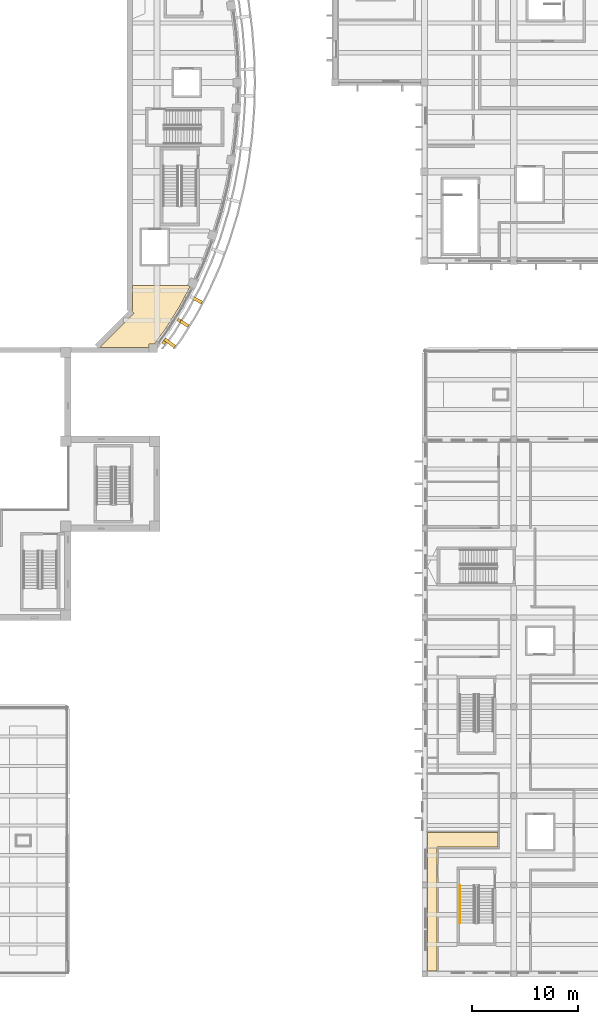
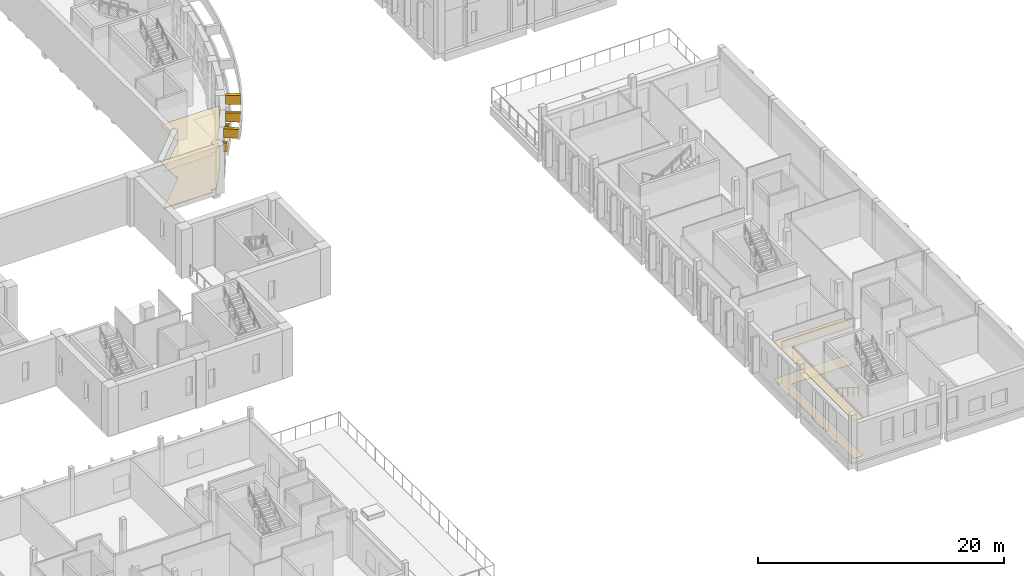
# One storey, part 62 of 79: 9 coverings, 1 railing.
"""IFC4 building model written with IfcOpenShell, lengths in metres."""

import ifcopenshell
import ifcopenshell.guid

model = None  # the IFC model being written
_history = None  # IfcOwnerHistory: only IFC2X3 demands one
_inside = {}  # id of a spatial element -> (the spatial element, [elements in it])
_under = {}  # id of a project, library or spatial element -> (it, [spatial elements below it])
_declared = {}  # id of a project -> (the project, [libraries it declares])
_typed = {}  # id of a type object -> (the type object, [elements of that type])
_made_of = {}  # id of a material, layer set ... -> (it, [elements and type objects made of it])


def new_model(schema):
    """Start an empty IFC model of exactly this schema.

    Asked for "IFC4X3", IfcOpenShell would pick the latest addendum, in which some entities
    have other attributes; the version numbers below select the first issue.
    IFC2X3 requires an IfcOwnerHistory on every rooted entity: one is made here for all.
    """
    global model, _history
    if schema == "IFC4X3":
        model = ifcopenshell.file(schema_version=(4, 3, 0, 0))
    else:
        model = ifcopenshell.file(schema=schema)
    _inside.clear()
    _under.clear()
    _declared.clear()
    _typed.clear()
    _made_of.clear()
    _history = None
    if model.schema == "IFC2X3":
        org = make("IfcOrganization", Name="unknown")
        user = make(
            "IfcPersonAndOrganization",
            ThePerson=make("IfcPerson", FamilyName="unknown"),
            TheOrganization=org,
        )
        app = make(
            "IfcApplication",
            ApplicationDeveloper=org,
            Version="unknown",
            ApplicationFullName="unknown",
            ApplicationIdentifier="unknown",
        )
        _history = make(
            "IfcOwnerHistory",
            OwningUser=user,
            OwningApplication=app,
            ChangeAction="ADDED",
            CreationDate=0,
        )
    return model


def make(cls, **values):
    """One entity of the class cls with the attributes given. An attribute that is None is left unset."""
    return model.create_entity(
        cls, **{name: value for name, value in values.items() if value is not None}
    )


def rooted(cls, **values):
    """An entity with a GlobalId (a new one), such as an element, a storey or a relation."""
    return make(cls, GlobalId=ifcopenshell.guid.new(), OwnerHistory=_history, **values)


def si_unit(unit_type, name, prefix=None):
    """IfcSIUnit, for example si_unit("LENGTHUNIT", "METRE", prefix="MILLI")."""
    return make("IfcSIUnit", UnitType=unit_type, Prefix=prefix, Name=name)


def assignment(units):
    """IfcUnitAssignment: the units of a project."""
    return None if units is None else make("IfcUnitAssignment", Units=units)


def point(xyz):
    """IfcCartesianPoint."""
    return None if xyz is None else make("IfcCartesianPoint", Coordinates=xyz)


def direction(xyz):
    """IfcDirection."""
    return None if xyz is None else make("IfcDirection", DirectionRatios=xyz)


def frame(location, z_axis=None, x_axis=None):
    """IfcAxis2Placement3D, a coordinate frame: its origin and axes. An axis left out is left unset."""
    return make(
        "IfcAxis2Placement3D",
        Location=point(location),
        Axis=direction(z_axis),
        RefDirection=direction(x_axis),
    )


def frame_2d(location, x_axis=None):
    """IfcAxis2Placement2D, a coordinate frame in the plane: its origin and x axis."""
    return make(
        "IfcAxis2Placement2D", Location=point(location), RefDirection=direction(x_axis)
    )


def origin():
    """The frame at (0, 0, 0) with its axes left unset."""
    return frame((0.0, 0.0, 0.0))


def origin_2d():
    """The frame at (0, 0) in the plane with its x axis left unset."""
    return frame_2d((0.0, 0.0))


def place(relative_to, where):
    """IfcLocalPlacement: puts the frame where relative to a parent placement (None: the world)."""
    return make(
        "IfcLocalPlacement", PlacementRelTo=relative_to, RelativePlacement=where
    )


def context(
    kind, dimensions, precision=None, world=None, true_north=None, identifier=None
):
    """IfcGeometricRepresentationContext, for example the 3D "Model" context."""
    return make(
        "IfcGeometricRepresentationContext",
        ContextIdentifier=identifier,
        ContextType=kind,
        CoordinateSpaceDimension=dimensions,
        Precision=precision,
        WorldCoordinateSystem=world,
        TrueNorth=true_north,
    )


def subcontext(parent, identifier, kind, view, scale=None):
    """IfcGeometricRepresentationSubContext, for example "Body" below "Model"."""
    return make(
        "IfcGeometricRepresentationSubContext",
        ContextIdentifier=identifier,
        ContextType=kind,
        ParentContext=parent,
        TargetScale=scale,
        TargetView=view,
    )


def project(units=None, contexts=None):
    """IfcProject with its units and contexts."""
    return rooted(
        "IfcProject",
        Name="project",
        RepresentationContexts=contexts,
        UnitsInContext=assignment(units),
    )


def spatial(cls, under=None, at=None, **own):
    """A site, building, storey or space (cls), placed at a placement, below another one or the project."""
    s = rooted(cls, ObjectPlacement=at, **own)
    if under is not None:
        _under.setdefault(under.id(), (under, []))[1].append(s)
    return s


def polyline(points):
    """IfcPolyline through the points."""
    return make("IfcPolyline", Points=[point(p) for p in points])


def profile(cls, at=None, kind="AREA", **sizes):
    """A parametric profile (cls). Its sizes go by their IFC names, for example OverallWidth=200.0."""
    return make(cls, ProfileType=kind, Position=at, **sizes)


def rectangle(**sizes):
    """IfcRectangleProfileDef."""
    return profile("IfcRectangleProfileDef", **sizes)


def circle(**sizes):
    """IfcCircleProfileDef."""
    return profile("IfcCircleProfileDef", **sizes)


def outline(outer, holes=None, kind="AREA"):
    """IfcArbitraryClosedProfileDef: a profile drawn as a closed curve; with holes, ...WithVoids."""
    if holes is None:
        return make("IfcArbitraryClosedProfileDef", ProfileType=kind, OuterCurve=outer)
    return make(
        "IfcArbitraryProfileDefWithVoids",
        ProfileType=kind,
        OuterCurve=outer,
        InnerCurves=holes,
    )


def extrude(swept, where, along, depth):
    """IfcExtrudedAreaSolid: the profile swept, set in the frame where, extruded along a direction by depth."""
    return make(
        "IfcExtrudedAreaSolid",
        SweptArea=swept,
        Position=where,
        ExtrudedDirection=direction(along),
        Depth=depth,
    )


def shape(context_of_items, identifier, shape_type, items):
    """IfcShapeRepresentation: the items that make up one representation, for example the "Body"."""
    return make(
        "IfcShapeRepresentation",
        ContextOfItems=context_of_items,
        RepresentationIdentifier=identifier,
        RepresentationType=shape_type,
        Items=items,
    )


def material(Name=None, Category=None):
    """IfcMaterial."""
    return make("IfcMaterial", Name=Name, Category=Category)


def layer(
    of_material, thickness, ventilated=None, Name=None, Category=None, Priority=None
):
    """IfcMaterialLayer: one layer of a wall or slab, of a material (None: an air gap)."""
    return make(
        "IfcMaterialLayer",
        Material=of_material,
        LayerThickness=thickness,
        IsVentilated=ventilated,
        Name=Name,
        Category=Category,
        Priority=Priority,
    )


def layer_set(layers, Name=None):
    """IfcMaterialLayerSet."""
    return make("IfcMaterialLayerSet", MaterialLayers=layers, LayerSetName=Name)


def made_of(thing, what):
    """Note that an element or type object is made of a material, layer set ...; save() writes the relation."""
    if what is not None:
        _made_of.setdefault(what.id(), (what, []))[1].append(thing)
    return thing


def type_object(cls, material=None, **own):
    """A type object (cls), such as IfcWallType, which elements share."""
    return made_of(rooted(cls, **own), material)


def element(
    cls,
    number,
    at=None,
    inside=None,
    cuts=None,
    type_object=None,
    material=None,
    context=None,
    identifier="Body",
    shape_type=None,
    held_by="IfcProductDefinitionShape",
    body=None,
    shapes=None,
    **own,
):
    """One element of the class cls, such as IfcWall. Its Tag is "e" and its number.

    at: its placement. inside: the storey or other place that contains it. cuts: it is an
    opening in that element (IfcRelVoidsElement). A single representation is given by context,
    identifier, shape_type and body (its items); several are given by shapes. held_by: the class
    of the entity that holds the representations. save() writes the other relations.
    """
    e = rooted(cls, Tag="e%d" % number, ObjectPlacement=at, **own)
    if body is not None:
        shapes = [shape(context, identifier, shape_type, body)]
    if shapes is not None:
        e.Representation = make(held_by, Representations=shapes)
    if inside is not None:
        _inside.setdefault(inside.id(), (inside, []))[1].append(e)
    if cuts is not None:
        rooted(
            "IfcRelVoidsElement", RelatingBuildingElement=cuts, RelatedOpeningElement=e
        )
    if type_object is not None:
        _typed.setdefault(type_object.id(), (type_object, []))[1].append(e)
    return made_of(e, material)


def aggregate(whole, parts):
    """IfcRelAggregates: a whole, such as a stair, and the parts it consists of."""
    return rooted("IfcRelAggregates", RelatingObject=whole, RelatedObjects=parts)


def save(model, path):
    """Write the relations noted so far, then the file.

    IfcRelAggregates (storeys below a building ...), IfcRelContainedInSpatialStructure (elements
    in a storey), IfcRelDefinesByType, IfcRelAssociatesMaterial and IfcRelDeclares: one each for
    every whole, place, type object, material and project.
    """
    for whole, parts in _under.values():
        aggregate(whole, parts)
    for where, things in _inside.values():
        rooted(
            "IfcRelContainedInSpatialStructure",
            RelatedElements=things,
            RelatingStructure=where,
        )
    for kind, things in _typed.values():
        rooted("IfcRelDefinesByType", RelatedObjects=things, RelatingType=kind)
    for what, things in _made_of.values():
        rooted("IfcRelAssociatesMaterial", RelatedObjects=things, RelatingMaterial=what)
    for by, libraries in _declared.values():
        rooted("IfcRelDeclares", RelatingContext=by, RelatedDefinitions=libraries)
    model.write(path)


model = new_model("IFC4")

# Units and contexts
model_context = context("Model", 3, precision=1e-05, world=origin(), true_north=direction((0.0, 1.0)))
body_context = subcontext(model_context, "Body", "Model", "MODEL_VIEW")
ifc_project = project(units=[si_unit("LENGTHUNIT", "METRE"), si_unit("AREAUNIT", "SQUARE_METRE"), si_unit("VOLUMEUNIT", "CUBIC_METRE"), si_unit("PLANEANGLEUNIT", "RADIAN"), si_unit("MASSUNIT", "GRAM", prefix="KILO")], contexts=[model_context])

# Site, building, storey
site_placement = place(None, origin())
site = spatial("IfcSite", under=ifc_project, at=site_placement, CompositionType="ELEMENT")
building_placement = place(site_placement, origin())
building = spatial("IfcBuilding", under=site, at=building_placement, Name="Larchfold Concert Hall", CompositionType="ELEMENT")
storey_placement = place(building_placement, frame((0.0, 0.0, 14.39990234375)))
storey = spatial("IfcBuildingStorey", under=building, at=storey_placement, Name="L03", CompositionType="ELEMENT", Elevation=14.39990234375)

# Coverings
ifc_material_1 = material(Name="Plasterboard ceiling lining")
ifc_layer_1 = layer(ifc_material_1, 0.030029296875)
ifc_layer_set_1 = layer_set([ifc_layer_1], Name="Plasterboard ceiling lining")
covering_type_1 = type_object("IfcCoveringType", Name="Ceiling suspended plasterboard 30", PredefinedType="CEILING", material=ifc_layer_set_1)
covering_1_placement = place(storey_placement, frame((0.0, 0.0, 3.670166015625)))
element("IfcCovering", 1, at=covering_1_placement, inside=storey, type_object=covering_type_1, Name="Ceiling Hall Foyer South East", PredefinedType="CEILING", context=body_context, shape_type="SweptSolid", body=[
    extrude(outline(polyline([(61.56884765625, 63.580078125), (62.516357421875, 65.376953125), (62.262451171875, 65.5), (57.10009765625, 65.5), (57.10009765625, 63.050048828125), (57.0859375, 63.035888671875), (57.23779296875, 62.884033203125), (54.003662109375, 59.64990234375), (58.647216796875, 59.64990234375), (58.647216796875, 59.94970703125), (59.139892578125, 59.94970703125), (60.286376953125, 61.515380859375), (61.56884765625, 63.580078125)])), origin(), (0.0, 0.0, 1.0), 0.030029296875),
])
covering_2_placement = place(storey_placement, frame((0.0, 0.0, 3.710205078125)))
element("IfcCovering", 2, at=covering_2_placement, inside=storey, type_object=covering_type_1, Name="Ceiling Artists' Lounge", PredefinedType="CEILING", context=body_context, shape_type="SweptSolid", body=[
    extrude(outline(polyline([(84.900146484375, 13.949951171875), (84.900146484375, 0.900146484375), (85.78759765625, 0.900146484375), (85.78759765625, 12.5625), (91.53759765625, 12.5625), (91.53759765625, 13.949951171875), (84.900146484375, 13.949951171875)])), origin(), (0.0, 0.0, 1.0), 0.030029296875),
])
ifc_material_2 = material(Name="Polished terrazzo")
ifc_layer_2 = layer(ifc_material_2, 0.0400390625)
ifc_layer_set_2 = layer_set([ifc_layer_2], Name="Polished terrazzo")
covering_type_2 = type_object("IfcCoveringType", Name="Floor finish terrazzo 40", PredefinedType="FLOORING", material=ifc_layer_set_2)
covering_3_placement = place(storey_placement, origin())
element("IfcCovering", 3, at=covering_3_placement, inside=storey, type_object=covering_type_2, Name="Floor finish Hall Foyer South East", PredefinedType="FLOORING", context=body_context, shape_type="SweptSolid", body=[
    extrude(outline(polyline([(61.56884765625, 63.580078125), (62.516357421875, 65.376953125), (62.262451171875, 65.5), (57.10009765625, 65.5), (57.10009765625, 63.050048828125), (57.0859375, 63.035888671875), (57.23779296875, 62.884033203125), (54.003662109375, 59.64990234375), (58.647216796875, 59.64990234375), (58.647216796875, 59.94970703125), (59.139892578125, 59.94970703125), (60.286376953125, 61.515380859375), (61.56884765625, 63.580078125)])), origin(), (0.0, 0.0, 1.0), 0.0400390625),
])
ifc_material_3 = material(Name="Linoleum sheet")
ifc_layer_3 = layer(ifc_material_3, 0.02001953125)
ifc_layer_set_3 = layer_set([ifc_layer_3], Name="Linoleum sheet")
covering_type_3 = type_object("IfcCoveringType", Name="Floor finish vinyl 20", PredefinedType="FLOORING", material=ifc_layer_set_3)
covering_4_placement = place(storey_placement, origin())
element("IfcCovering", 4, at=covering_4_placement, inside=storey, type_object=covering_type_3, Name="Floor finish Artists' Lounge", PredefinedType="FLOORING", context=body_context, shape_type="SweptSolid", body=[
    extrude(outline(polyline([(84.900146484375, 13.949951171875), (84.900146484375, 0.900146484375), (85.78759765625, 0.900146484375), (85.78759765625, 12.5625), (91.53759765625, 12.5625), (91.53759765625, 13.949951171875), (84.900146484375, 13.949951171875)])), origin(), (0.0, 0.0, 1.0), 0.02001953125),
])
ifc_material_4 = material(Name="Galvanised steel bracket", Category="steel")
ifc_layer_4 = layer(ifc_material_4, 0.300048828125)
ifc_layer_set_4 = layer_set([ifc_layer_4], Name="Galvanised steel bracket")
covering_type_4 = type_object("IfcCoveringType", Name="Ring support bracket", PredefinedType="CLADDING", material=ifc_layer_set_4)
for number, where, z_axis, x_axis, name in (
    (5, (60.058349609375, 60.104248046875, 3.35009765625), (0.0, 0.0, 1.0), (0.80684915404, -0.590757515927, 0.0), "Ring bracket BR-R06-27"),
    (6, (61.479248046875, 62.2041015625, 3.35009765625), (0.0, 0.0, 1.0), (0.849390839977, -0.527764342263, 0.0), "Ring bracket BR-R06-28"),
):
    element("IfcCovering", number, at=place(storey_placement, frame(where, z_axis=z_axis, x_axis=x_axis)), inside=storey, type_object=covering_type_4, Name=name, PredefinedType="CLADDING", context=body_context, shape_type="SweptSolid", body=[
        extrude(rectangle(XDim=0.300048828125, YDim=0.300048828125, at=origin_2d()), origin(), (0.0, 0.0, 1.0), 0.89990234375),
    ])
for number, where, z_axis, x_axis, name in (
    (7, (60.59521484375, 60.075439453125, 4.550048828125), (0.0, 0.0, 1.0), (0.80684915404, -0.590757515927, 0.0), "Ring bracket BR-R07-27"),
    (8, (61.861572265625, 61.966552734375, 4.550048828125), (0.0, 0.0, 1.0), (0.849390839977, -0.527764342263, 0.0), "Ring bracket BR-R07-28"),
    (9, (63.10888671875, 64.141845703125, 4.550048828125), (0.0, 0.0, 1.0), (0.884535681061, -0.466472538238, 0.0), "Ring bracket BR-R07-29"),
):
    element("IfcCovering", number, at=place(storey_placement, frame(where, z_axis=z_axis, x_axis=x_axis)), inside=storey, type_object=covering_type_4, Name=name, PredefinedType="CLADDING", context=body_context, shape_type="SweptSolid", body=[
        extrude(rectangle(XDim=1.199951171875, YDim=0.300048828125, at=origin_2d()), origin(), (0.0, 0.0, 1.0), 0.89990234375),
    ])

# Railing
ifc_material_5 = material(Name="Stainless steel handrail", Category="steel")
railing_type = type_object("IfcRailingType", Name="Stair handrail 900", PredefinedType="HANDRAIL", material=ifc_material_5)
railing_placement = place(storey_placement, frame((87.949951171875, 8.949951171875, 0.171630859375)))
element("IfcRailing", 10, at=railing_placement, inside=storey, type_object=railing_type, Name="Handrail HR0049", PredefinedType="HANDRAIL", context=body_context, shape_type="SweptSolid", body=[
    extrude(circle(Radius=0.02392578125, at=origin_2d()), frame((0.0, 0.0, 0.8759765625), z_axis=(0.0, -0.844219563411, 0.53599750816), x_axis=(1.0, 0.0, 0.0)), (0.0, 0.0, 1.0), 4.15771484375),
    extrude(circle(Radius=0.02099609375, at=origin_2d()), origin(), (0.0, 0.0, 1.0), 0.851806640625),
    extrude(circle(Radius=0.02099609375, at=origin_2d()), frame((0.0, -0.87744140625, 0.55712890625)), (0.0, 0.0, 1.0), 0.851806640625),
    extrude(circle(Radius=0.02099609375, at=origin_2d()), frame((0.0, -1.7548828125, 1.1142578125)), (0.0, 0.0, 1.0), 0.851806640625),
    extrude(circle(Radius=0.02099609375, at=origin_2d()), frame((0.0, -2.632568359375, 1.67138671875)), (0.0, 0.0, 1.0), 0.851806640625),
    extrude(circle(Radius=0.02099609375, at=origin_2d()), frame((0.0, -3.510009765625, 2.228515625)), (0.0, 0.0, 1.0), 0.851806640625),
])

save(model, "model.ifc")
